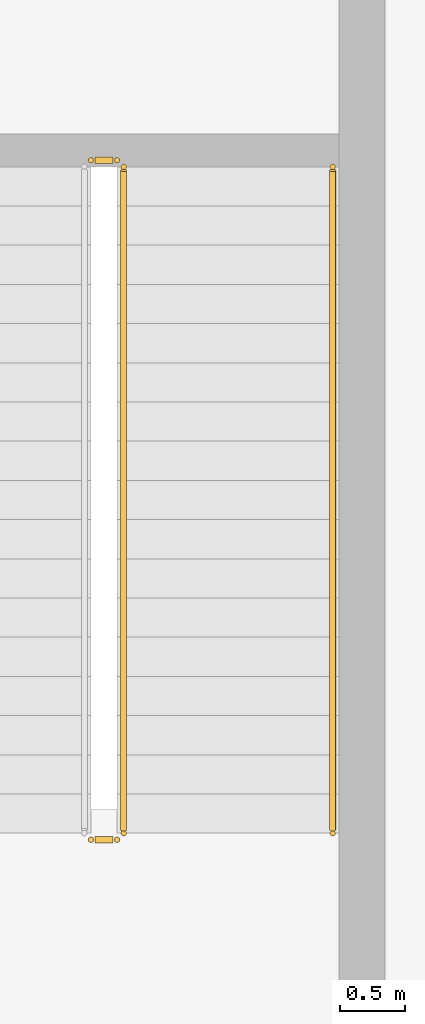
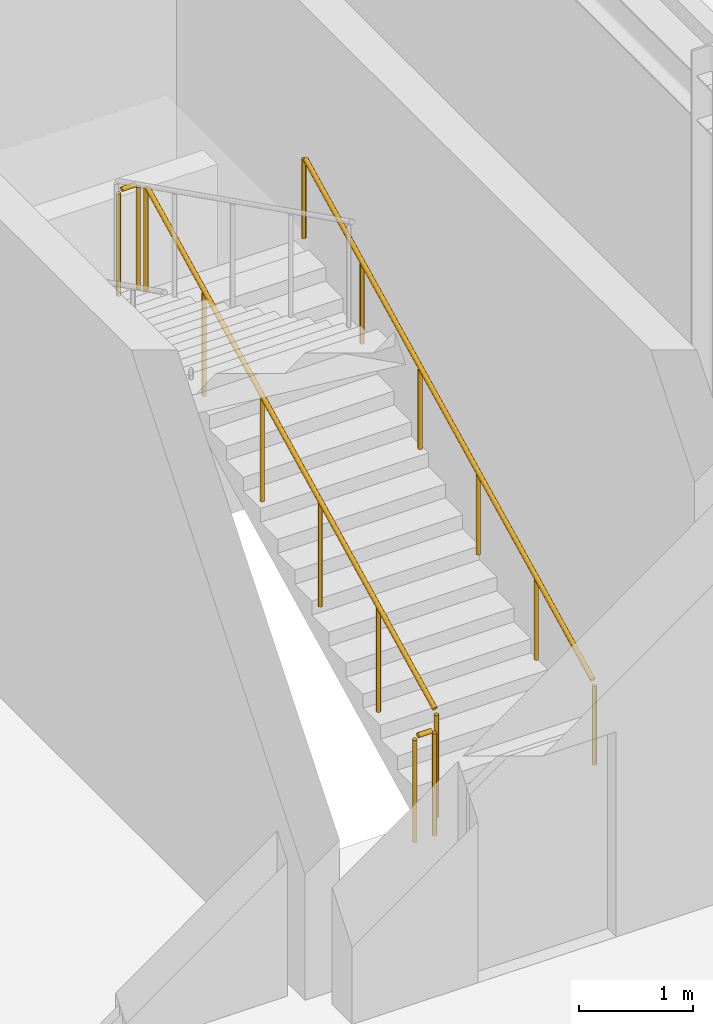
# One storey, part 139 of 140: 4 railings.
"""IFC4 building model written with IfcOpenShell, lengths in metres."""

from ifc_helpers import new_model, si_unit, direction, frame, origin, origin_2d, place, context, subcontext, project, spatial, circle, extrude, material, type_object, element, save


model = new_model("IFC4")

# Units and contexts
model_context = context("Model", 3, precision=1e-05, world=origin(), true_north=direction((0.0, 1.0)))
body_context = subcontext(model_context, "Body", "Model", "MODEL_VIEW")
ifc_project = project(units=[si_unit("LENGTHUNIT", "METRE"), si_unit("AREAUNIT", "SQUARE_METRE"), si_unit("VOLUMEUNIT", "CUBIC_METRE"), si_unit("PLANEANGLEUNIT", "RADIAN"), si_unit("MASSUNIT", "GRAM", prefix="KILO")], contexts=[model_context])

# Site, building, storey
site_placement = place(None, origin())
site = spatial("IfcSite", under=ifc_project, at=site_placement, CompositionType="ELEMENT")
building_placement = place(site_placement, origin())
building = spatial("IfcBuilding", under=site, at=building_placement, Name="Haizhuo Lancet Aquarium", CompositionType="ELEMENT")
storey_placement = place(building_placement, origin())
storey = spatial("IfcBuildingStorey", under=building, at=storey_placement, Name="L00", CompositionType="ELEMENT", Elevation=0.0)

# Railings
ifc_material = material(Name="Steel S355", Category="steel")
railing_type_1 = type_object("IfcRailingType", Name="RL-GRD-1150", PredefinedType="GUARDRAIL", material=ifc_material)
railing_1_placement = place(storey_placement, frame((49.75, 24.64990234375, 0.14990234375)))
element("IfcRailing", 1, at=railing_1_placement, inside=storey, type_object=railing_type_1, Name="L00 ST-10 stair guard 1", PredefinedType="GUARDRAIL", context=body_context, shape_type="SweptSolid", body=[
    extrude(circle(Radius=0.02392578125, at=origin_2d()), frame((0.0, 0.02685546875, 1.13916015625), z_axis=(0.0, 0.894427191, 0.4472135955), x_axis=(-1.0, 0.0, 0.0)), (0.0, 0.0, 1.0), 5.64208984375),
    extrude(circle(Radius=0.02099609375, at=origin_2d()), origin(), (0.0, 0.0, 1.0), 1.097900390625),
    extrude(circle(Radius=0.02099609375, at=origin_2d()), frame((0.0, 1.02001953125, 0.510009765625)), (0.0, 0.0, 1.0), 1.097900390625),
    extrude(circle(Radius=0.02099609375, at=origin_2d()), frame((0.0, 2.0400390625, 1.02001953125)), (0.0, 0.0, 1.0), 1.097900390625),
    extrude(circle(Radius=0.02099609375, at=origin_2d()), frame((0.0, 3.06005859375, 1.530029296875)), (0.0, 0.0, 1.0), 1.097900390625),
    extrude(circle(Radius=0.02099609375, at=origin_2d()), frame((0.0, 4.080078125, 2.0400390625)), (0.0, 0.0, 1.0), 1.097900390625),
    extrude(circle(Radius=0.02099609375, at=origin_2d()), frame((0.0, 5.10009765625, 2.550048828125)), (0.0, 0.0, 1.0), 1.097900390625),
])
for number, where, name in (
    (2, (49.699951171875, 29.800048828125, 2.699951171875), "L00 ST-10 stair guard 2"),
    (3, (49.699951171875, 24.60009765625, 0.0), "L00 ST-10 stair guard 4"),
):
    element("IfcRailing", number, at=place(storey_placement, frame(where)), inside=storey, type_object=railing_type_1, Name=name, PredefinedType="GUARDRAIL", context=body_context, shape_type="SweptSolid", body=[
        extrude(circle(Radius=0.02392578125, at=origin_2d()), frame((-0.030029296875, 0.0, 1.1259765625), z_axis=(-1.0, 0.0, 0.0), x_axis=(0.0, -1.0, 0.0)), (0.0, 0.0, 1.0), 0.139892578125),
        extrude(circle(Radius=0.02099609375, at=origin_2d()), origin(), (0.0, 0.0, 1.0), 1.097900390625),
        extrude(circle(Radius=0.02099609375, at=origin_2d()), frame((-0.199951171875, 0.0, 0.0)), (0.0, 0.0, 1.0), 1.097900390625),
    ])
railing_type_2 = type_object("IfcRailingType", Name="RL-HDR-900", PredefinedType="HANDRAIL", material=ifc_material)
railing_2_placement = place(storey_placement, frame((51.35009765625, 24.64990234375, 0.14990234375)))
element("IfcRailing", 4, at=railing_2_placement, inside=storey, type_object=railing_type_2, Name="L00 ST-10 pitch handrail 1", PredefinedType="HANDRAIL", context=body_context, shape_type="SweptSolid", body=[
    extrude(circle(Radius=0.02392578125, at=origin_2d()), frame((0.0, 0.02685546875, 0.88916015625), z_axis=(0.0, 0.894427191, 0.4472135955), x_axis=(-1.0, 0.0, 0.0)), (0.0, 0.0, 1.0), 5.64208984375),
    extrude(circle(Radius=0.02099609375, at=origin_2d()), origin(), (0.0, 0.0, 1.0), 0.847900390625),
    extrude(circle(Radius=0.02099609375, at=origin_2d()), frame((0.0, 1.02001953125, 0.510009765625)), (0.0, 0.0, 1.0), 0.847900390625),
    extrude(circle(Radius=0.02099609375, at=origin_2d()), frame((0.0, 2.0400390625, 1.02001953125)), (0.0, 0.0, 1.0), 0.847900390625),
    extrude(circle(Radius=0.02099609375, at=origin_2d()), frame((0.0, 3.06005859375, 1.530029296875)), (0.0, 0.0, 1.0), 0.847900390625),
    extrude(circle(Radius=0.02099609375, at=origin_2d()), frame((0.0, 4.080078125, 2.0400390625)), (0.0, 0.0, 1.0), 0.847900390625),
    extrude(circle(Radius=0.02099609375, at=origin_2d()), frame((0.0, 5.10009765625, 2.550048828125)), (0.0, 0.0, 1.0), 0.847900390625),
])

save(model, "model.ifc")
